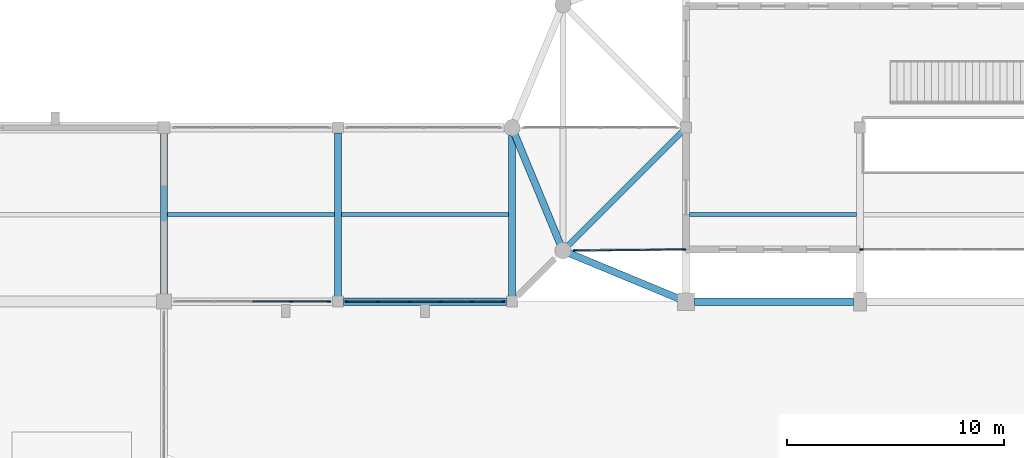
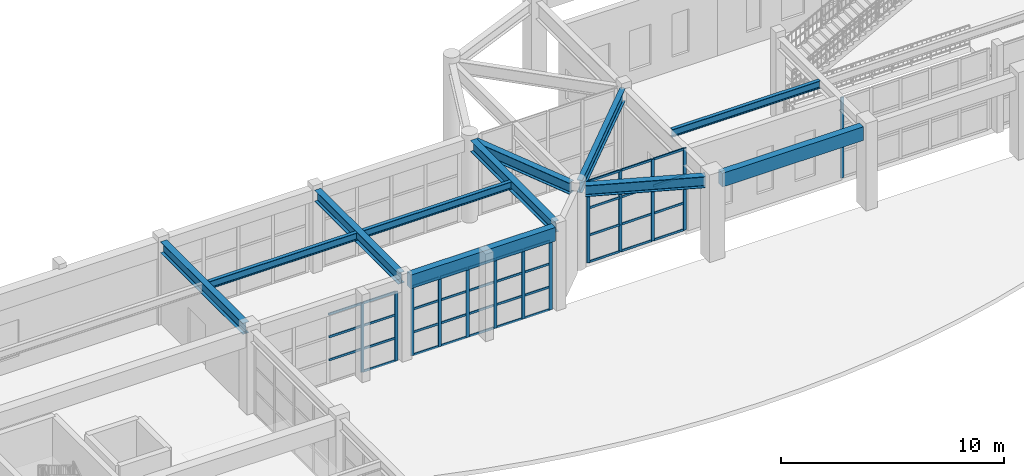
# One storey, part 6 of 59: 52 members, 11 beams, 4 elements without a shape of their own.
"""IFC4 building model written with IfcOpenShell, lengths in metres."""

from ifc_helpers import new_model, si_unit, direction, frame, origin, origin_2d, place, context, subcontext, project, spatial, rectangle, i_section, extrude, material, material_profile, profile_set, type_object, element, aggregate, save


model = new_model("IFC4")

# Units and contexts
model_context = context("Model", 3, precision=1e-05, world=origin(), true_north=direction((0.0, 1.0)))
body_context = subcontext(model_context, "Body", "Model", "MODEL_VIEW")
ifc_project = project(units=[si_unit("LENGTHUNIT", "METRE"), si_unit("AREAUNIT", "SQUARE_METRE"), si_unit("VOLUMEUNIT", "CUBIC_METRE"), si_unit("PLANEANGLEUNIT", "RADIAN"), si_unit("MASSUNIT", "GRAM", prefix="KILO")], contexts=[model_context])

# Site, building, storey
site_placement = place(None, origin())
site = spatial("IfcSite", under=ifc_project, at=site_placement, CompositionType="ELEMENT")
building_placement = place(site_placement, origin())
building = spatial("IfcBuilding", under=site, at=building_placement, Name="Serraluz Foothill Cableway Terminal", CompositionType="ELEMENT")
storey_placement = place(building_placement, frame((0.0, 0.0, 4.800048828125)))
storey = spatial("IfcBuildingStorey", under=building, at=storey_placement, Name="L01", CompositionType="ELEMENT", Elevation=4.800048828125)

# Beams
ifc_material_1 = material(Name="Steel ASTM A992 Grade 50", Category="steel")
ifc_material_profile_1 = material_profile(ifc_material_1, i_section(OverallWidth=0.324951171875, OverallDepth=0.615966796875, WebThickness=0.013916015625, FlangeThickness=0.021484375, FilletRadius=0.01806640625, at=origin_2d()), Name="W24X117")
ifc_profile_set_1 = profile_set([ifc_material_profile_1], Name="Steel ASTM A992 Grade 50")
beam_type_1 = type_object("IfcBeamType", Name="TYP-BM-W24X117", PredefinedType="BEAM", material=ifc_profile_set_1)
beam_1_placement = place(storey_placement, frame((16.0, 56.345947265625, 4.23193359375), z_axis=(0.0, 1.0, 0.0), x_axis=(-1.0, 0.0, 0.0)))
element("IfcBeam", 1, at=beam_1_placement, inside=storey, type_object=beam_type_1, Name="Transverse Girder BM-Y-L01-0252", PredefinedType="BEAM", context=body_context, shape_type="SweptSolid", body=[
    extrude(i_section(OverallWidth=0.324951171875, OverallDepth=0.615966796875, WebThickness=0.013916015625, FlangeThickness=0.021484375, FilletRadius=0.01806640625, at=origin_2d()), origin(), (0.0, 0.0, 1.0), 7.383056640625),
])
beam_2_placement = place(storey_placement, frame((24.0, 56.24609375, 4.241943359375), z_axis=(0.0, 1.0, 0.0), x_axis=(-1.0, 0.0, 0.0)))
element("IfcBeam", 2, at=beam_2_placement, inside=storey, type_object=beam_type_1, Name="Transverse Girder BM-Y-L01-0253", PredefinedType="BEAM", context=body_context, shape_type="SweptSolid", body=[
    extrude(i_section(OverallWidth=0.324951171875, OverallDepth=0.615966796875, WebThickness=0.013916015625, FlangeThickness=0.021484375, FilletRadius=0.01806640625, at=origin_2d()), origin(), (0.0, 0.0, 1.0), 7.5078125),
])
beam_3_placement = place(storey_placement, frame((32.0, 56.24609375, 4.241943359375), z_axis=(0.0, 1.0, 0.0), x_axis=(-1.0, 0.0, 0.0)))
element("IfcBeam", 3, at=beam_3_placement, inside=storey, type_object=beam_type_1, Name="Transverse Girder BM-Y-L01-0254", PredefinedType="BEAM", context=body_context, shape_type="SweptSolid", body=[
    extrude(i_section(OverallWidth=0.324951171875, OverallDepth=0.615966796875, WebThickness=0.013916015625, FlangeThickness=0.021484375, FilletRadius=0.01806640625, at=origin_2d()), origin(), (0.0, 0.0, 1.0), 7.3828125),
])
for number, where, z_axis, x_axis, name in (
    (4, (39.685791015625, 56.130126953125, 4.1669921875), (-0.923888361565, 0.382662116449, 0.0), (-0.382662116449, -0.923888361565, 0.0), "Curved End Ring Beam W-L01-1"),
    (5, (34.212890625, 58.6572265625, 4.1669921875), (-0.382662116449, 0.923888361565, 0.0), (-0.923888361565, -0.382662116449, 0.0), "Curved End Ring Beam W-L01-2"),
):
    element("IfcBeam", number, at=place(storey_placement, frame(where, z_axis=z_axis, x_axis=x_axis)), inside=storey, type_object=beam_type_1, Name=name, PredefinedType="BEAM", context=body_context, shape_type="SweptSolid", body=[
        extrude(i_section(OverallWidth=0.324951171875, OverallDepth=0.615966796875, WebThickness=0.013916015625, FlangeThickness=0.021484375, FilletRadius=0.01806640625, at=origin_2d()), origin(), (0.0, 0.0, 1.0), 5.44287109375),
    ])
ifc_material_profile_2 = material_profile(ifc_material_1, i_section(OverallWidth=0.256103515625, OverallDepth=0.693115234375, WebThickness=0.014404296875, FlangeThickness=0.023681640625, FilletRadius=0.02001953125, at=origin_2d()), Name="W27X114")
ifc_profile_set_2 = profile_set([ifc_material_profile_2], Name="Steel ASTM A992 Grade 50")
beam_type_2 = type_object("IfcBeamType", Name="TYP-BM-W27X114", PredefinedType="BEAM", material=ifc_profile_set_2)
beam_4_placement = place(storey_placement, frame((39.886962890625, 63.886962890625, 4.12841796875), z_axis=(-0.707106781187, -0.707106781187, 0.0), x_axis=(0.707106781187, -0.707106781187, 0.0)))
element("IfcBeam", 6, at=beam_4_placement, inside=storey, type_object=beam_type_2, Name="Radial Station Deck Girder W-L01-1", PredefinedType="BEAM", context=body_context, shape_type="SweptSolid", body=[
    extrude(i_section(OverallWidth=0.256103515625, OverallDepth=0.693115234375, WebThickness=0.014404296875, FlangeThickness=0.023681640625, FilletRadius=0.02001953125, at=origin_2d()), origin(), (0.0, 0.0, 1.0), 7.500244140625),
])

# Curtain wall, member
ifc_material_2 = material(Name="Architectural bronze alloy C28000", Category="aluminium")
curtain_wall_type_1 = type_object("IfcCurtainWallType", Name="TYP-CW-730X430", PredefinedType="NOTDEFINED", material=ifc_material_2)
curtain_wall_1_placement = place(storey_placement, origin())
curtain_wall_1 = element("IfcCurtainWall", 7, at=curtain_wall_1_placement, inside=storey, type_object=curtain_wall_type_1, Name="Ribbed Glazed Curtain Wall CW-V1S-L01-48", PredefinedType="NOTDEFINED")
ifc_material_profile_3 = material_profile(ifc_material_2, rectangle(XDim=0.06005859375, YDim=0.159912109375, at=origin_2d()), Name="ALU MULLION 60x160")
ifc_profile_set_3 = profile_set([ifc_material_profile_3], Name="Architectural bronze alloy C28000")
member_type_1 = type_object("IfcMemberType", Name="TYP-CW-MUL-60X160", PredefinedType="MULLION", material=ifc_profile_set_3)
member_1_placement = place(storey_placement, frame((48.08203125, 58.39990234375, 0.0), z_axis=(0.0, 0.0, 1.0), x_axis=(0.0, -1.0, 0.0)))
member_1 = element("IfcMember", 8, at=member_1_placement, type_object=member_type_1, Name="CW-05 mullion 6", PredefinedType="MULLION", context=body_context, shape_type="SweptSolid", body=[
    extrude(rectangle(XDim=0.06005859375, YDim=0.159912109375, at=origin_2d()), origin(), (0.0, 0.0, 1.0), 4.419921875),
])
aggregate(curtain_wall_1, [member_1])

# Curtain wall, members
curtain_wall_type_2 = type_object("IfcCurtainWallType", Name="TYP-CW-710X420", PredefinedType="NOTDEFINED", material=ifc_material_2)
curtain_wall_2_placement = place(storey_placement, origin())
curtain_wall_2 = element("IfcCurtainWall", 9, at=curtain_wall_2_placement, inside=storey, type_object=curtain_wall_type_2, Name="Ribbed Glazed Curtain Wall CW-WLS-L01-16", PredefinedType="NOTDEFINED")
member_2_placement = place(storey_placement, frame((23.580078125, 56.0, 0.0), z_axis=(0.0, 0.0, 1.0), x_axis=(0.0, -1.0, 0.0)))
member_2 = element("IfcMember", 10, at=member_2_placement, type_object=member_type_1, Name="CW-01 mullion 1", PredefinedType="MULLION", context=body_context, shape_type="SweptSolid", body=[
    extrude(rectangle(XDim=0.06005859375, YDim=0.159912109375, at=origin_2d()), origin(), (0.0, 0.0, 1.0), 3.800048828125),
])
member_3_placement = place(storey_placement, frame((21.830078125, 56.0, 0.0), z_axis=(0.0, 0.0, 1.0), x_axis=(0.0, -1.0, 0.0)))
member_3 = element("IfcMember", 11, at=member_3_placement, type_object=member_type_1, Name="CW-01 mullion 2", PredefinedType="MULLION", context=body_context, shape_type="SweptSolid", body=[
    extrude(rectangle(XDim=0.06005859375, YDim=0.159912109375, at=origin_2d()), origin(), (0.0, 0.0, 1.0), 3.800048828125),
])

curtain_wall_3_placement = place(storey_placement, origin())
curtain_wall_3 = element("IfcCurtainWall", 12, at=curtain_wall_3_placement, inside=storey, type_object=curtain_wall_type_2, Name="Ribbed Glazed Curtain Wall CW-WLS-L01-24", PredefinedType="NOTDEFINED")
member_4_placement = place(storey_placement, frame((31.580078125, 56.0, 0.0), z_axis=(0.0, 0.0, 1.0), x_axis=(0.0, -1.0, 0.0)))
member_4 = element("IfcMember", 13, at=member_4_placement, type_object=member_type_1, Name="CW-01 mullion 1", PredefinedType="MULLION", context=body_context, shape_type="SweptSolid", body=[
    extrude(rectangle(XDim=0.06005859375, YDim=0.159912109375, at=origin_2d()), origin(), (0.0, 0.0, 1.0), 3.800048828125),
])
member_5_placement = place(storey_placement, frame((30.166015625, 56.0, 0.0), z_axis=(0.0, 0.0, 1.0), x_axis=(0.0, -1.0, 0.0)))
member_5 = element("IfcMember", 14, at=member_5_placement, type_object=member_type_1, Name="CW-01 mullion 2", PredefinedType="MULLION", context=body_context, shape_type="SweptSolid", body=[
    extrude(rectangle(XDim=0.06005859375, YDim=0.159912109375, at=origin_2d()), origin(), (0.0, 0.0, 1.0), 3.800048828125),
])
member_6_placement = place(storey_placement, frame((28.721923828125, 56.0, 0.0), z_axis=(0.0, 0.0, 1.0), x_axis=(0.0, -1.0, 0.0)))
member_6 = element("IfcMember", 15, at=member_6_placement, type_object=member_type_1, Name="CW-01 mullion 3", PredefinedType="MULLION", context=body_context, shape_type="SweptSolid", body=[
    extrude(rectangle(XDim=0.06005859375, YDim=0.159912109375, at=origin_2d()), origin(), (0.0, 0.0, 1.0), 3.800048828125),
])
member_7_placement = place(storey_placement, frame((27.278076171875, 56.0, 0.0), z_axis=(0.0, 0.0, 1.0), x_axis=(0.0, -1.0, 0.0)))
member_7 = element("IfcMember", 16, at=member_7_placement, type_object=member_type_1, Name="CW-01 mullion 4", PredefinedType="MULLION", context=body_context, shape_type="SweptSolid", body=[
    extrude(rectangle(XDim=0.06005859375, YDim=0.159912109375, at=origin_2d()), origin(), (0.0, 0.0, 1.0), 3.800048828125),
])
member_8_placement = place(storey_placement, frame((25.833984375, 56.0, 0.0), z_axis=(0.0, 0.0, 1.0), x_axis=(0.0, -1.0, 0.0)))
member_8 = element("IfcMember", 17, at=member_8_placement, type_object=member_type_1, Name="CW-01 mullion 5", PredefinedType="MULLION", context=body_context, shape_type="SweptSolid", body=[
    extrude(rectangle(XDim=0.06005859375, YDim=0.159912109375, at=origin_2d()), origin(), (0.0, 0.0, 1.0), 3.800048828125),
])
member_9_placement = place(storey_placement, frame((24.419921875, 56.0, 0.0), z_axis=(0.0, 0.0, 1.0), x_axis=(0.0, -1.0, 0.0)))
member_9 = element("IfcMember", 18, at=member_9_placement, type_object=member_type_1, Name="CW-01 mullion 6", PredefinedType="MULLION", context=body_context, shape_type="SweptSolid", body=[
    extrude(rectangle(XDim=0.06005859375, YDim=0.159912109375, at=origin_2d()), origin(), (0.0, 0.0, 1.0), 3.800048828125),
])

curtain_wall_type_3 = type_object("IfcCurtainWallType", Name="TYP-CW-540X420", PredefinedType="NOTDEFINED", material=ifc_material_2)
curtain_wall_4_placement = place(storey_placement, origin())
curtain_wall_4 = element("IfcCurtainWall", 19, at=curtain_wall_4_placement, inside=storey, type_object=curtain_wall_type_3, Name="Ribbed Glazed Curtain Wall CW-WLS-L01-32", PredefinedType="NOTDEFINED")
member_10_placement = place(storey_placement, frame((39.91796875, 58.399169921875, 0.0), z_axis=(0.0, 0.0, 1.0), x_axis=(0.010066142226, -0.999949335107, 0.0)))
member_10 = element("IfcMember", 20, at=member_10_placement, type_object=member_type_1, Name="CW-10 mullion 1", PredefinedType="MULLION", context=body_context, shape_type="SweptSolid", body=[
    extrude(rectangle(XDim=0.06005859375, YDim=0.159912109375, at=origin_2d()), origin(), (0.0, 0.0, 1.0), 4.474853515625),
])
member_11_placement = place(storey_placement, frame((38.252685546875, 58.38232421875, 0.0), z_axis=(0.0, 0.0, 1.0), x_axis=(0.010066142226, -0.999949335107, 0.0)))
member_11 = element("IfcMember", 21, at=member_11_placement, type_object=member_type_1, Name="CW-10 mullion 2", PredefinedType="MULLION", context=body_context, shape_type="SweptSolid", body=[
    extrude(rectangle(XDim=0.06005859375, YDim=0.159912109375, at=origin_2d()), origin(), (0.0, 0.0, 1.0), 4.474853515625),
])
member_12_placement = place(storey_placement, frame((36.557373046875, 58.365478515625, 0.0), z_axis=(0.0, 0.0, 1.0), x_axis=(0.010066142226, -0.999949335107, 0.0)))
member_12 = element("IfcMember", 22, at=member_12_placement, type_object=member_type_1, Name="CW-10 mullion 3", PredefinedType="MULLION", context=body_context, shape_type="SweptSolid", body=[
    extrude(rectangle(XDim=0.06005859375, YDim=0.159912109375, at=origin_2d()), origin(), (0.0, 0.0, 1.0), 4.474853515625),
])
member_13_placement = place(storey_placement, frame((34.891845703125, 58.3486328125, 0.0), z_axis=(0.0, 0.0, 1.0), x_axis=(0.010066142226, -0.999949335107, 0.0)))
member_13 = element("IfcMember", 23, at=member_13_placement, type_object=member_type_1, Name="CW-10 mullion 4", PredefinedType="MULLION", context=body_context, shape_type="SweptSolid", body=[
    extrude(rectangle(XDim=0.06005859375, YDim=0.159912109375, at=origin_2d()), origin(), (0.0, 0.0, 1.0), 4.474853515625),
])

# Member
ifc_material_profile_4 = material_profile(ifc_material_2, rectangle(XDim=0.06005859375, YDim=0.1201171875, at=origin_2d()), Name="ALU TRANSOM 60x120")
ifc_profile_set_4 = profile_set([ifc_material_profile_4], Name="Architectural bronze alloy C28000")
member_type_2 = type_object("IfcMemberType", Name="TYP-CW-TRN-60X120", PredefinedType="USERDEFINED", material=ifc_profile_set_4)
member_14_placement = place(storey_placement, frame((23.550048828125, 56.0, 0.030029296875), z_axis=(-1.0, 0.0, 0.0), x_axis=(0.0, -1.0, 0.0)))
member_14 = element("IfcMember", 24, at=member_14_placement, type_object=member_type_2, Name="CW-01 transom 1.1", ObjectType="TRANSOM", PredefinedType="USERDEFINED", context=body_context, shape_type="SweptSolid", body=[
    extrude(rectangle(XDim=0.06005859375, YDim=0.1201171875, at=origin_2d()), origin(), (0.0, 0.0, 1.0), 1.68994140625),
])

member_15_placement = place(storey_placement, frame((23.550048828125, 56.0, 1.2666015625), z_axis=(-1.0, 0.0, 0.0), x_axis=(0.0, -1.0, 0.0)))
member_15 = element("IfcMember", 25, at=member_15_placement, type_object=member_type_2, Name="CW-01 transom 1.2", ObjectType="TRANSOM", PredefinedType="USERDEFINED", context=body_context, shape_type="SweptSolid", body=[
    extrude(rectangle(XDim=0.06005859375, YDim=0.1201171875, at=origin_2d()), origin(), (0.0, 0.0, 1.0), 1.68994140625),
])

member_16_placement = place(storey_placement, frame((23.550048828125, 56.0, 2.533203125), z_axis=(-1.0, 0.0, 0.0), x_axis=(0.0, -1.0, 0.0)))
member_16 = element("IfcMember", 26, at=member_16_placement, type_object=member_type_2, Name="CW-01 transom 1.3", ObjectType="TRANSOM", PredefinedType="USERDEFINED", context=body_context, shape_type="SweptSolid", body=[
    extrude(rectangle(XDim=0.06005859375, YDim=0.1201171875, at=origin_2d()), origin(), (0.0, 0.0, 1.0), 1.68994140625),
])

member_17_placement = place(storey_placement, frame((23.550048828125, 56.0, 3.77001953125), z_axis=(-1.0, 0.0, 0.0), x_axis=(0.0, -1.0, 0.0)))
member_17 = element("IfcMember", 27, at=member_17_placement, type_object=member_type_2, Name="CW-01 transom 1.4", ObjectType="TRANSOM", PredefinedType="USERDEFINED", context=body_context, shape_type="SweptSolid", body=[
    extrude(rectangle(XDim=0.06005859375, YDim=0.1201171875, at=origin_2d()), origin(), (0.0, 0.0, 1.0), 1.68994140625),
])

member_18_placement = place(storey_placement, frame((21.800048828125, 56.0, 1.2666015625), z_axis=(-1.0, 0.0, 0.0), x_axis=(0.0, -1.0, 0.0)))
member_18 = element("IfcMember", 28, at=member_18_placement, type_object=member_type_2, Name="CW-01 transom 2.2", ObjectType="TRANSOM", PredefinedType="USERDEFINED", context=body_context, shape_type="SweptSolid", body=[
    extrude(rectangle(XDim=0.06005859375, YDim=0.1201171875, at=origin_2d()), origin(), (0.0, 0.0, 1.0), 1.719970703125),
])

member_19_placement = place(storey_placement, frame((21.800048828125, 56.0, 2.533203125), z_axis=(-1.0, 0.0, 0.0), x_axis=(0.0, -1.0, 0.0)))
member_19 = element("IfcMember", 29, at=member_19_placement, type_object=member_type_2, Name="CW-01 transom 2.3", ObjectType="TRANSOM", PredefinedType="USERDEFINED", context=body_context, shape_type="SweptSolid", body=[
    extrude(rectangle(XDim=0.06005859375, YDim=0.1201171875, at=origin_2d()), origin(), (0.0, 0.0, 1.0), 1.719970703125),
])

member_20_placement = place(storey_placement, frame((21.800048828125, 56.0, 3.77001953125), z_axis=(-1.0, 0.0, 0.0), x_axis=(0.0, -1.0, 0.0)))
member_20 = element("IfcMember", 30, at=member_20_placement, type_object=member_type_2, Name="CW-01 transom 2.4", ObjectType="TRANSOM", PredefinedType="USERDEFINED", context=body_context, shape_type="SweptSolid", body=[
    extrude(rectangle(XDim=0.06005859375, YDim=0.1201171875, at=origin_2d()), origin(), (0.0, 0.0, 1.0), 1.719970703125),
])

aggregate(curtain_wall_2, [member_2, member_3, member_14, member_15, member_16, member_17, member_18, member_19, member_20])

member_21_placement = place(storey_placement, frame((31.550048828125, 56.0, 0.030029296875), z_axis=(-1.0, 0.0, 0.0), x_axis=(0.0, -1.0, 0.0)))
member_21 = element("IfcMember", 31, at=member_21_placement, type_object=member_type_2, Name="CW-01 transom 1.1", ObjectType="TRANSOM", PredefinedType="USERDEFINED", context=body_context, shape_type="SweptSolid", body=[
    extrude(rectangle(XDim=0.06005859375, YDim=0.1201171875, at=origin_2d()), origin(), (0.0, 0.0, 1.0), 1.35400390625),
])

member_22_placement = place(storey_placement, frame((31.550048828125, 56.0, 1.2666015625), z_axis=(-1.0, 0.0, 0.0), x_axis=(0.0, -1.0, 0.0)))
member_22 = element("IfcMember", 32, at=member_22_placement, type_object=member_type_2, Name="CW-01 transom 1.2", ObjectType="TRANSOM", PredefinedType="USERDEFINED", context=body_context, shape_type="SweptSolid", body=[
    extrude(rectangle(XDim=0.06005859375, YDim=0.1201171875, at=origin_2d()), origin(), (0.0, 0.0, 1.0), 1.35400390625),
])

member_23_placement = place(storey_placement, frame((31.550048828125, 56.0, 2.533203125), z_axis=(-1.0, 0.0, 0.0), x_axis=(0.0, -1.0, 0.0)))
member_23 = element("IfcMember", 33, at=member_23_placement, type_object=member_type_2, Name="CW-01 transom 1.3", ObjectType="TRANSOM", PredefinedType="USERDEFINED", context=body_context, shape_type="SweptSolid", body=[
    extrude(rectangle(XDim=0.06005859375, YDim=0.1201171875, at=origin_2d()), origin(), (0.0, 0.0, 1.0), 1.35400390625),
])

member_24_placement = place(storey_placement, frame((31.550048828125, 56.0, 3.77001953125), z_axis=(-1.0, 0.0, 0.0), x_axis=(0.0, -1.0, 0.0)))
member_24 = element("IfcMember", 34, at=member_24_placement, type_object=member_type_2, Name="CW-01 transom 1.4", ObjectType="TRANSOM", PredefinedType="USERDEFINED", context=body_context, shape_type="SweptSolid", body=[
    extrude(rectangle(XDim=0.06005859375, YDim=0.1201171875, at=origin_2d()), origin(), (0.0, 0.0, 1.0), 1.35400390625),
])

member_25_placement = place(storey_placement, frame((30.135986328125, 56.0, 0.030029296875), z_axis=(-1.0, 0.0, 0.0), x_axis=(0.0, -1.0, 0.0)))
member_25 = element("IfcMember", 35, at=member_25_placement, type_object=member_type_2, Name="CW-01 transom 2.1", ObjectType="TRANSOM", PredefinedType="USERDEFINED", context=body_context, shape_type="SweptSolid", body=[
    extrude(rectangle(XDim=0.06005859375, YDim=0.1201171875, at=origin_2d()), origin(), (0.0, 0.0, 1.0), 1.384033203125),
])

member_26_placement = place(storey_placement, frame((30.135986328125, 56.0, 1.2666015625), z_axis=(-1.0, 0.0, 0.0), x_axis=(0.0, -1.0, 0.0)))
member_26 = element("IfcMember", 36, at=member_26_placement, type_object=member_type_2, Name="CW-01 transom 2.2", ObjectType="TRANSOM", PredefinedType="USERDEFINED", context=body_context, shape_type="SweptSolid", body=[
    extrude(rectangle(XDim=0.06005859375, YDim=0.1201171875, at=origin_2d()), origin(), (0.0, 0.0, 1.0), 1.384033203125),
])

member_27_placement = place(storey_placement, frame((30.135986328125, 56.0, 2.533203125), z_axis=(-1.0, 0.0, 0.0), x_axis=(0.0, -1.0, 0.0)))
member_27 = element("IfcMember", 37, at=member_27_placement, type_object=member_type_2, Name="CW-01 transom 2.3", ObjectType="TRANSOM", PredefinedType="USERDEFINED", context=body_context, shape_type="SweptSolid", body=[
    extrude(rectangle(XDim=0.06005859375, YDim=0.1201171875, at=origin_2d()), origin(), (0.0, 0.0, 1.0), 1.384033203125),
])

member_28_placement = place(storey_placement, frame((30.135986328125, 56.0, 3.77001953125), z_axis=(-1.0, 0.0, 0.0), x_axis=(0.0, -1.0, 0.0)))
member_28 = element("IfcMember", 38, at=member_28_placement, type_object=member_type_2, Name="CW-01 transom 2.4", ObjectType="TRANSOM", PredefinedType="USERDEFINED", context=body_context, shape_type="SweptSolid", body=[
    extrude(rectangle(XDim=0.06005859375, YDim=0.1201171875, at=origin_2d()), origin(), (0.0, 0.0, 1.0), 1.384033203125),
])

member_29_placement = place(storey_placement, frame((28.69189453125, 56.0, 0.030029296875), z_axis=(-1.0, 0.0, 0.0), x_axis=(0.0, -1.0, 0.0)))
member_29 = element("IfcMember", 39, at=member_29_placement, type_object=member_type_2, Name="CW-01 transom 3.1", ObjectType="TRANSOM", PredefinedType="USERDEFINED", context=body_context, shape_type="SweptSolid", body=[
    extrude(rectangle(XDim=0.06005859375, YDim=0.1201171875, at=origin_2d()), origin(), (0.0, 0.0, 1.0), 1.3837890625),
])

member_30_placement = place(storey_placement, frame((28.69189453125, 56.0, 1.2666015625), z_axis=(-1.0, 0.0, 0.0), x_axis=(0.0, -1.0, 0.0)))
member_30 = element("IfcMember", 40, at=member_30_placement, type_object=member_type_2, Name="CW-01 transom 3.2", ObjectType="TRANSOM", PredefinedType="USERDEFINED", context=body_context, shape_type="SweptSolid", body=[
    extrude(rectangle(XDim=0.06005859375, YDim=0.1201171875, at=origin_2d()), origin(), (0.0, 0.0, 1.0), 1.3837890625),
])

member_31_placement = place(storey_placement, frame((28.69189453125, 56.0, 2.533203125), z_axis=(-1.0, 0.0, 0.0), x_axis=(0.0, -1.0, 0.0)))
member_31 = element("IfcMember", 41, at=member_31_placement, type_object=member_type_2, Name="CW-01 transom 3.3", ObjectType="TRANSOM", PredefinedType="USERDEFINED", context=body_context, shape_type="SweptSolid", body=[
    extrude(rectangle(XDim=0.06005859375, YDim=0.1201171875, at=origin_2d()), origin(), (0.0, 0.0, 1.0), 1.3837890625),
])

member_32_placement = place(storey_placement, frame((28.69189453125, 56.0, 3.77001953125), z_axis=(-1.0, 0.0, 0.0), x_axis=(0.0, -1.0, 0.0)))
member_32 = element("IfcMember", 42, at=member_32_placement, type_object=member_type_2, Name="CW-01 transom 3.4", ObjectType="TRANSOM", PredefinedType="USERDEFINED", context=body_context, shape_type="SweptSolid", body=[
    extrude(rectangle(XDim=0.06005859375, YDim=0.1201171875, at=origin_2d()), origin(), (0.0, 0.0, 1.0), 1.3837890625),
])

member_33_placement = place(storey_placement, frame((27.248046875, 56.0, 0.030029296875), z_axis=(-1.0, 0.0, 0.0), x_axis=(0.0, -1.0, 0.0)))
member_33 = element("IfcMember", 43, at=member_33_placement, type_object=member_type_2, Name="CW-01 transom 4.1", ObjectType="TRANSOM", PredefinedType="USERDEFINED", context=body_context, shape_type="SweptSolid", body=[
    extrude(rectangle(XDim=0.06005859375, YDim=0.1201171875, at=origin_2d()), origin(), (0.0, 0.0, 1.0), 1.384033203125),
])

member_34_placement = place(storey_placement, frame((27.248046875, 56.0, 1.2666015625), z_axis=(-1.0, 0.0, 0.0), x_axis=(0.0, -1.0, 0.0)))
member_34 = element("IfcMember", 44, at=member_34_placement, type_object=member_type_2, Name="CW-01 transom 4.2", ObjectType="TRANSOM", PredefinedType="USERDEFINED", context=body_context, shape_type="SweptSolid", body=[
    extrude(rectangle(XDim=0.06005859375, YDim=0.1201171875, at=origin_2d()), origin(), (0.0, 0.0, 1.0), 1.384033203125),
])

member_35_placement = place(storey_placement, frame((27.248046875, 56.0, 2.533203125), z_axis=(-1.0, 0.0, 0.0), x_axis=(0.0, -1.0, 0.0)))
member_35 = element("IfcMember", 45, at=member_35_placement, type_object=member_type_2, Name="CW-01 transom 4.3", ObjectType="TRANSOM", PredefinedType="USERDEFINED", context=body_context, shape_type="SweptSolid", body=[
    extrude(rectangle(XDim=0.06005859375, YDim=0.1201171875, at=origin_2d()), origin(), (0.0, 0.0, 1.0), 1.384033203125),
])

member_36_placement = place(storey_placement, frame((27.248046875, 56.0, 3.77001953125), z_axis=(-1.0, 0.0, 0.0), x_axis=(0.0, -1.0, 0.0)))
member_36 = element("IfcMember", 46, at=member_36_placement, type_object=member_type_2, Name="CW-01 transom 4.4", ObjectType="TRANSOM", PredefinedType="USERDEFINED", context=body_context, shape_type="SweptSolid", body=[
    extrude(rectangle(XDim=0.06005859375, YDim=0.1201171875, at=origin_2d()), origin(), (0.0, 0.0, 1.0), 1.384033203125),
])

member_37_placement = place(storey_placement, frame((25.803955078125, 56.0, 0.030029296875), z_axis=(-1.0, 0.0, 0.0), x_axis=(0.0, -1.0, 0.0)))
member_37 = element("IfcMember", 47, at=member_37_placement, type_object=member_type_2, Name="CW-01 transom 5.1", ObjectType="TRANSOM", PredefinedType="USERDEFINED", context=body_context, shape_type="SweptSolid", body=[
    extrude(rectangle(XDim=0.06005859375, YDim=0.1201171875, at=origin_2d()), origin(), (0.0, 0.0, 1.0), 1.35400390625),
])

member_38_placement = place(storey_placement, frame((25.803955078125, 56.0, 1.2666015625), z_axis=(-1.0, 0.0, 0.0), x_axis=(0.0, -1.0, 0.0)))
member_38 = element("IfcMember", 48, at=member_38_placement, type_object=member_type_2, Name="CW-01 transom 5.2", ObjectType="TRANSOM", PredefinedType="USERDEFINED", context=body_context, shape_type="SweptSolid", body=[
    extrude(rectangle(XDim=0.06005859375, YDim=0.1201171875, at=origin_2d()), origin(), (0.0, 0.0, 1.0), 1.35400390625),
])

member_39_placement = place(storey_placement, frame((25.803955078125, 56.0, 2.533203125), z_axis=(-1.0, 0.0, 0.0), x_axis=(0.0, -1.0, 0.0)))
member_39 = element("IfcMember", 49, at=member_39_placement, type_object=member_type_2, Name="CW-01 transom 5.3", ObjectType="TRANSOM", PredefinedType="USERDEFINED", context=body_context, shape_type="SweptSolid", body=[
    extrude(rectangle(XDim=0.06005859375, YDim=0.1201171875, at=origin_2d()), origin(), (0.0, 0.0, 1.0), 1.35400390625),
])

member_40_placement = place(storey_placement, frame((25.803955078125, 56.0, 3.77001953125), z_axis=(-1.0, 0.0, 0.0), x_axis=(0.0, -1.0, 0.0)))
member_40 = element("IfcMember", 50, at=member_40_placement, type_object=member_type_2, Name="CW-01 transom 5.4", ObjectType="TRANSOM", PredefinedType="USERDEFINED", context=body_context, shape_type="SweptSolid", body=[
    extrude(rectangle(XDim=0.06005859375, YDim=0.1201171875, at=origin_2d()), origin(), (0.0, 0.0, 1.0), 1.35400390625),
])

aggregate(curtain_wall_3, [member_4, member_5, member_6, member_7, member_8, member_9, member_21, member_22, member_23, member_24, member_25, member_26, member_27, member_28, member_29, member_30, member_31, member_32, member_33, member_34, member_35, member_36, member_37, member_38, member_39, member_40])

member_41_placement = place(storey_placement, frame((39.887939453125, 58.39892578125, 0.030029296875), z_axis=(-0.999949622856, -0.010037517127, 0.0), x_axis=(0.010037517127, -0.999949622856, 0.0)))
member_41 = element("IfcMember", 51, at=member_41_placement, type_object=member_type_2, Name="CW-10 transom 1.1", ObjectType="TRANSOM", PredefinedType="USERDEFINED", context=body_context, shape_type="SweptSolid", body=[
    extrude(rectangle(XDim=0.06005859375, YDim=0.1201171875, at=origin_2d()), origin(), (0.0, 0.0, 1.0), 1.605224609375),
])

member_42_placement = place(storey_placement, frame((39.887939453125, 58.39892578125, 1.49169921875), z_axis=(-0.999949622856, -0.010037517127, 0.0), x_axis=(0.010037517127, -0.999949622856, 0.0)))
member_42 = element("IfcMember", 52, at=member_42_placement, type_object=member_type_2, Name="CW-10 transom 1.2", ObjectType="TRANSOM", PredefinedType="USERDEFINED", context=body_context, shape_type="SweptSolid", body=[
    extrude(rectangle(XDim=0.06005859375, YDim=0.1201171875, at=origin_2d()), origin(), (0.0, 0.0, 1.0), 1.605224609375),
])

member_43_placement = place(storey_placement, frame((39.887939453125, 58.39892578125, 2.983154296875), z_axis=(-0.999949622856, -0.010037517127, 0.0), x_axis=(0.010037517127, -0.999949622856, 0.0)))
member_43 = element("IfcMember", 53, at=member_43_placement, type_object=member_type_2, Name="CW-10 transom 1.3", ObjectType="TRANSOM", PredefinedType="USERDEFINED", context=body_context, shape_type="SweptSolid", body=[
    extrude(rectangle(XDim=0.06005859375, YDim=0.1201171875, at=origin_2d()), origin(), (0.0, 0.0, 1.0), 1.605224609375),
])

member_44_placement = place(storey_placement, frame((39.887939453125, 58.39892578125, 4.445068359375), z_axis=(-0.999949622856, -0.010037517127, 0.0), x_axis=(0.010037517127, -0.999949622856, 0.0)))
member_44 = element("IfcMember", 54, at=member_44_placement, type_object=member_type_2, Name="CW-10 transom 1.4", ObjectType="TRANSOM", PredefinedType="USERDEFINED", context=body_context, shape_type="SweptSolid", body=[
    extrude(rectangle(XDim=0.06005859375, YDim=0.1201171875, at=origin_2d()), origin(), (0.0, 0.0, 1.0), 1.605224609375),
])

member_45_placement = place(storey_placement, frame((38.22265625, 58.382080078125, 0.030029296875), z_axis=(-0.999949988823, -0.010000992574, 0.0), x_axis=(0.010000992574, -0.999949988823, 0.0)))
member_45 = element("IfcMember", 55, at=member_45_placement, type_object=member_type_2, Name="CW-10 transom 2.1", ObjectType="TRANSOM", PredefinedType="USERDEFINED", context=body_context, shape_type="SweptSolid", body=[
    extrude(rectangle(XDim=0.06005859375, YDim=0.1201171875, at=origin_2d()), origin(), (0.0, 0.0, 1.0), 1.635498046875),
])

member_46_placement = place(storey_placement, frame((38.22265625, 58.382080078125, 1.49169921875), z_axis=(-0.999949988823, -0.010000992574, 0.0), x_axis=(0.010000992574, -0.999949988823, 0.0)))
member_46 = element("IfcMember", 56, at=member_46_placement, type_object=member_type_2, Name="CW-10 transom 2.2", ObjectType="TRANSOM", PredefinedType="USERDEFINED", context=body_context, shape_type="SweptSolid", body=[
    extrude(rectangle(XDim=0.06005859375, YDim=0.1201171875, at=origin_2d()), origin(), (0.0, 0.0, 1.0), 1.635498046875),
])

member_47_placement = place(storey_placement, frame((38.22265625, 58.382080078125, 2.983154296875), z_axis=(-0.999949988823, -0.010000992574, 0.0), x_axis=(0.010000992574, -0.999949988823, 0.0)))
member_47 = element("IfcMember", 57, at=member_47_placement, type_object=member_type_2, Name="CW-10 transom 2.3", ObjectType="TRANSOM", PredefinedType="USERDEFINED", context=body_context, shape_type="SweptSolid", body=[
    extrude(rectangle(XDim=0.06005859375, YDim=0.1201171875, at=origin_2d()), origin(), (0.0, 0.0, 1.0), 1.635498046875),
])

member_48_placement = place(storey_placement, frame((38.22265625, 58.382080078125, 4.445068359375), z_axis=(-0.999949988823, -0.010000992574, 0.0), x_axis=(0.010000992574, -0.999949988823, 0.0)))
member_48 = element("IfcMember", 58, at=member_48_placement, type_object=member_type_2, Name="CW-10 transom 2.4", ObjectType="TRANSOM", PredefinedType="USERDEFINED", context=body_context, shape_type="SweptSolid", body=[
    extrude(rectangle(XDim=0.06005859375, YDim=0.1201171875, at=origin_2d()), origin(), (0.0, 0.0, 1.0), 1.635498046875),
])

member_49_placement = place(storey_placement, frame((36.52734375, 58.364990234375, 0.030029296875), z_axis=(-0.999949638175, -0.010035990894, 0.0), x_axis=(0.010035990894, -0.999949638175, 0.0)))
member_49 = element("IfcMember", 59, at=member_49_placement, type_object=member_type_2, Name="CW-10 transom 3.1", ObjectType="TRANSOM", PredefinedType="USERDEFINED", context=body_context, shape_type="SweptSolid", body=[
    extrude(rectangle(XDim=0.06005859375, YDim=0.1201171875, at=origin_2d()), origin(), (0.0, 0.0, 1.0), 1.60546875),
])

member_50_placement = place(storey_placement, frame((36.52734375, 58.364990234375, 1.49169921875), z_axis=(-0.999949638175, -0.010035990894, 0.0), x_axis=(0.010035990894, -0.999949638175, 0.0)))
member_50 = element("IfcMember", 60, at=member_50_placement, type_object=member_type_2, Name="CW-10 transom 3.2", ObjectType="TRANSOM", PredefinedType="USERDEFINED", context=body_context, shape_type="SweptSolid", body=[
    extrude(rectangle(XDim=0.06005859375, YDim=0.1201171875, at=origin_2d()), origin(), (0.0, 0.0, 1.0), 1.60546875),
])

member_51_placement = place(storey_placement, frame((36.52734375, 58.364990234375, 2.983154296875), z_axis=(-0.999949638175, -0.010035990894, 0.0), x_axis=(0.010035990894, -0.999949638175, 0.0)))
member_51 = element("IfcMember", 61, at=member_51_placement, type_object=member_type_2, Name="CW-10 transom 3.3", ObjectType="TRANSOM", PredefinedType="USERDEFINED", context=body_context, shape_type="SweptSolid", body=[
    extrude(rectangle(XDim=0.06005859375, YDim=0.1201171875, at=origin_2d()), origin(), (0.0, 0.0, 1.0), 1.60546875),
])

member_52_placement = place(storey_placement, frame((36.52734375, 58.364990234375, 4.445068359375), z_axis=(-0.999949638175, -0.010035990894, 0.0), x_axis=(0.010035990894, -0.999949638175, 0.0)))
member_52 = element("IfcMember", 62, at=member_52_placement, type_object=member_type_2, Name="CW-10 transom 3.4", ObjectType="TRANSOM", PredefinedType="USERDEFINED", context=body_context, shape_type="SweptSolid", body=[
    extrude(rectangle(XDim=0.06005859375, YDim=0.1201171875, at=origin_2d()), origin(), (0.0, 0.0, 1.0), 1.60546875),
])

aggregate(curtain_wall_4, [member_10, member_11, member_12, member_13, member_41, member_42, member_43, member_44, member_45, member_46, member_47, member_48, member_49, member_50, member_51, member_52])

# Beams
ifc_material_profile_5 = material_profile(ifc_material_1, i_section(OverallWidth=0.180908203125, OverallDepth=0.4169921875, WebThickness=0.010986328125, FlangeThickness=0.018310546875, FilletRadius=0.013916015625, at=origin_2d()), Name="W16X57")
ifc_profile_set_5 = profile_set([ifc_material_profile_5], Name="Steel ASTM A992 Grade 50")
beam_type_3 = type_object("IfcBeamType", Name="TYP-JS-W16X57", PredefinedType="JOIST", material=ifc_profile_set_5)
for number, where, z_axis, x_axis, name in (
    (63, (16.16748046875, 60.0, 4.341552734375), (1.0, 0.0, 0.0), (0.0, 1.0, 0.0), "Secondary Floor Joist JS-L01-0080"),
    (64, (24.16748046875, 60.0, 4.341552734375), (1.0, 0.0, 0.0), (0.0, 1.0, 0.0), "Secondary Floor Joist JS-L01-0081"),
):
    element("IfcBeam", number, at=place(storey_placement, frame(where, z_axis=z_axis, x_axis=x_axis)), inside=storey, type_object=beam_type_3, Name=name, PredefinedType="JOIST", context=body_context, shape_type="SweptSolid", body=[
        extrude(i_section(OverallWidth=0.180908203125, OverallDepth=0.4169921875, WebThickness=0.010986328125, FlangeThickness=0.018310546875, FilletRadius=0.013916015625, at=origin_2d()), origin(), (0.0, 0.0, 1.0), 7.6650390625),
    ])
beam_5_placement = place(storey_placement, frame((40.158935546875, 60.0, 4.266357421875), z_axis=(1.0, 0.0, 0.0), x_axis=(0.0, 1.0, 0.0)))
element("IfcBeam", 65, at=beam_5_placement, inside=storey, type_object=beam_type_3, Name="Secondary Floor Joist JS-L01-0082", PredefinedType="JOIST", context=body_context, shape_type="SweptSolid", body=[
    extrude(i_section(OverallWidth=0.180908203125, OverallDepth=0.4169921875, WebThickness=0.010986328125, FlangeThickness=0.018310546875, FilletRadius=0.013916015625, at=origin_2d()), origin(), (0.0, 0.0, 1.0), 7.673583984375),
])
ifc_material_3 = material(Name="Precast concrete C40/50", Category="concrete")
ifc_material_profile_6 = material_profile(ifc_material_3, rectangle(XDim=0.35009765625, YDim=0.75, at=origin_2d()), Name="RC SP 350x750")
ifc_profile_set_6 = profile_set([ifc_material_profile_6], Name="Precast concrete C40/50")
beam_type_4 = type_object("IfcBeamType", Name="TYP-SP-RC350X750", PredefinedType="SPANDREL", material=ifc_profile_set_6)
beam_6_placement = place(storey_placement, frame((24.24609375, 56.0, 4.175048828125), z_axis=(1.0, 0.0, 0.0), x_axis=(0.0, 1.0, 0.0)))
element("IfcBeam", 66, at=beam_6_placement, inside=storey, type_object=beam_type_4, Name="Primary Girder BM-X-L01-0200", PredefinedType="SPANDREL", context=body_context, shape_type="SweptSolid", body=[
    extrude(rectangle(XDim=0.35009765625, YDim=0.75, at=origin_2d()), origin(), (0.0, 0.0, 1.0), 7.5078125),
])
beam_7_placement = place(storey_placement, frame((40.39599609375, 56.0, 4.099853515625), z_axis=(1.0, 0.0, 0.0), x_axis=(0.0, 1.0, 0.0)))
element("IfcBeam", 67, at=beam_7_placement, inside=storey, type_object=beam_type_4, Name="Primary Girder BM-X-L01-0201", PredefinedType="SPANDREL", context=body_context, shape_type="SweptSolid", body=[
    extrude(rectangle(XDim=0.35009765625, YDim=0.75, at=origin_2d()), origin(), (0.0, 0.0, 1.0), 7.30810546875),
])

save(model, "model.ifc")
